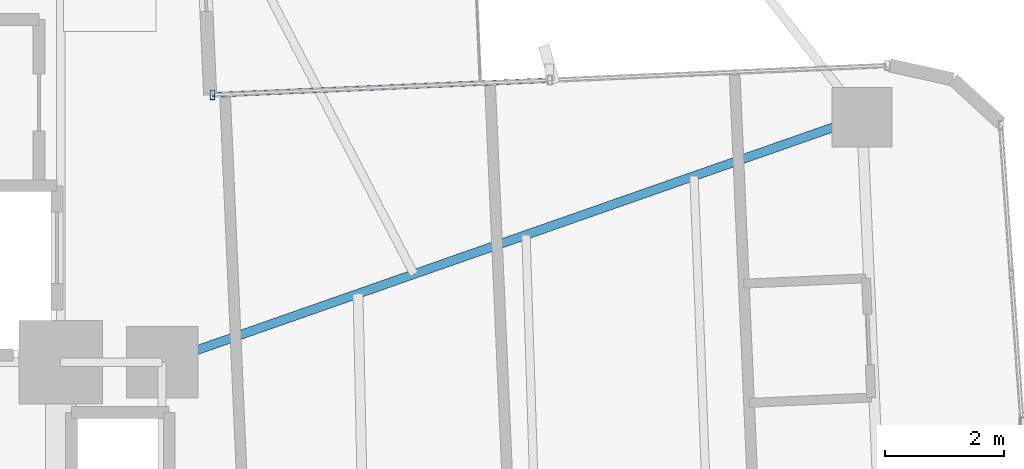
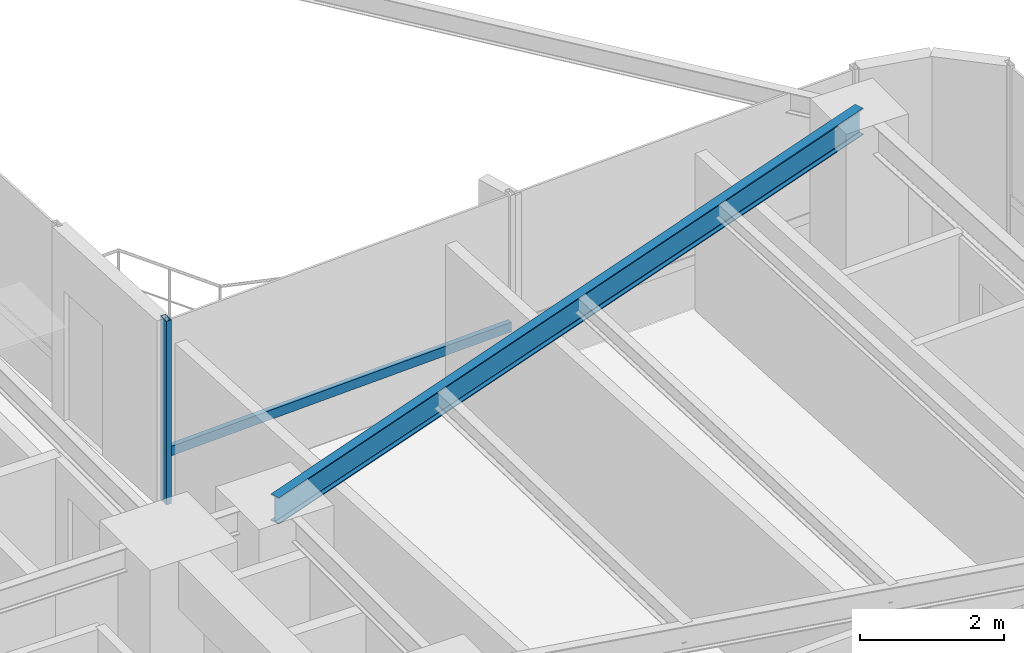
# One storey, part 13 of 26: 2 members, 1 beam, 1 element without a shape of its own.
"""IFC4 building model written with IfcOpenShell, lengths in metres."""

from ifc_helpers import new_model, si_unit, direction, frame, origin, origin_2d, place, context, subcontext, project, spatial, hollow_rectangle, i_section, extrude, source, transform, mapped, material, material_profile, profile_set, type_object, element, aggregate, save


model = new_model("IFC4")

# Units and contexts
model_context = context("Model", 3, precision=1e-05, world=origin(), true_north=direction((0.0, 1.0)))
body_context = subcontext(model_context, "Body", "Model", "MODEL_VIEW")
ifc_project = project(units=[si_unit("LENGTHUNIT", "METRE"), si_unit("AREAUNIT", "SQUARE_METRE"), si_unit("VOLUMEUNIT", "CUBIC_METRE"), si_unit("PLANEANGLEUNIT", "RADIAN"), si_unit("MASSUNIT", "GRAM", prefix="KILO")], contexts=[model_context])

# Site, building, storey
site_placement = place(None, origin())
site = spatial("IfcSite", under=ifc_project, at=site_placement, CompositionType="ELEMENT")
building_placement = place(site_placement, origin())
building = spatial("IfcBuilding", under=site, at=building_placement, Name="Sahyath Konkavel Grand Hotel", CompositionType="ELEMENT")
storey_placement = place(building_placement, frame((0.0, 0.0, 100.25)))
storey = spatial("IfcBuildingStorey", under=building, at=storey_placement, Name="L27", CompositionType="ELEMENT", Elevation=100.25)

# Beam
ifc_material_1 = material(Name="Steel E350", Category="steel")
ifc_material_profile_1 = material_profile(ifc_material_1, i_section(OverallWidth=0.14990234375, OverallDepth=0.449951171875, WebThickness=0.009521484375, FlangeThickness=0.017333984375, FilletRadius=0.014892578125, at=origin_2d()), Name="ISMB 450")
ifc_profile_set_1 = profile_set([ifc_material_profile_1], Name="Steel E350")
beam_type = type_object("IfcBeamType", Name="BM-ISMB450", PredefinedType="BEAM", material=ifc_profile_set_1)
shared_shape_1 = source(origin(), body_context, "Body", "SweptSolid", [
    extrude(i_section(OverallWidth=0.14990234375, OverallDepth=0.449951171875, WebThickness=0.009521484375, FlangeThickness=0.017333984375, FilletRadius=0.014892578125, at=origin_2d()), origin(), (0.0, 0.0, 1.0), 12.430908203125),
])
beam_placement = place(storey_placement, frame((5.5, 2.39990234375, 2.885009765625), z_axis=(0.943819157235, 0.330462400941, 0.0), x_axis=(-0.330462400941, 0.943819157235, 0.0)))
element("IfcBeam", 1, at=beam_placement, inside=storey, type_object=beam_type, Name="L27 Cruciform Radial Girder EB", PredefinedType="BEAM", context=body_context, shape_type="MappedRepresentation", body=[
    mapped(shared_shape_1, transform((0.0, 0.0, 0.0), scale=1.0)),
])

# Curtain wall, members
ifc_material_2 = material(Name="Anodised Bronze Aluminium & Low-E Glazing", Category="aluminium")
curtain_wall_type = type_object("IfcCurtainWallType", Name="CW-ZONE2", PredefinedType="NOTDEFINED", material=ifc_material_2)
curtain_wall_placement = place(storey_placement, origin())
curtain_wall = element("IfcCurtainWall", 2, at=curtain_wall_placement, inside=storey, type_object=curtain_wall_type, Name="L27 Unitised Curtain Wall F7", PredefinedType="NOTDEFINED")
ifc_material_3 = material(Name="Anodised Bronze Aluminium", Category="aluminium")
ifc_material_profile_2 = material_profile(ifc_material_3, hollow_rectangle(XDim=0.080078125, YDim=0.159912109375, WallThickness=0.006103515625, at=origin_2d()), Name="RHS 160x80x6")
ifc_profile_set_2 = profile_set([ifc_material_profile_2], Name="Anodised Bronze Aluminium")
member_type_1 = type_object("IfcMemberType", Name="CW-MUL-160", PredefinedType="MULLION", material=ifc_profile_set_2)
shared_shape_2 = source(origin(), body_context, "Body", "SweptSolid", [
    extrude(hollow_rectangle(XDim=0.080078125, YDim=0.159912109375, WallThickness=0.006103515625, at=origin_2d()), origin(), (0.0, 0.0, 1.0), 3.110107421875),
])
member_1_placement = place(storey_placement, frame((6.345703125, 6.88330078125, 0.0), z_axis=(0.0, 0.0, 1.0), x_axis=(1.0, 0.0, 0.0)))
member_1 = element("IfcMember", 3, at=member_1_placement, type_object=member_type_1, Name="L27 Curtain Wall Mullion F7-2", PredefinedType="MULLION", context=body_context, shape_type="MappedRepresentation", body=[
    mapped(shared_shape_2, transform((0.0, 0.0, 0.0), scale=1.0)),
])
ifc_material_profile_3 = material_profile(ifc_material_3, hollow_rectangle(XDim=0.080078125, YDim=0.159912109375, WallThickness=0.006103515625, at=origin_2d()), Name="RHS 160x80x6")
ifc_profile_set_3 = profile_set([ifc_material_profile_3], Name="Anodised Bronze Aluminium")
member_type_2 = type_object("IfcMemberType", Name="CW-TRN-160", PredefinedType="USERDEFINED", material=ifc_profile_set_3)
shared_shape_3 = source(origin(), body_context, "Body", "SweptSolid", [
    extrude(hollow_rectangle(XDim=0.080078125, YDim=0.159912109375, WallThickness=0.006103515625, at=origin_2d()), origin(), (0.0, 0.0, 1.0), 5.66015625),
])
member_2_placement = place(storey_placement, frame((12.00048828125, 7.13037109375, 0.85009765625), z_axis=(-0.9990468579, -0.043650609628, 0.0), x_axis=(0.043650609628, -0.9990468579, 0.0)))
member_2 = element("IfcMember", 4, at=member_2_placement, type_object=member_type_2, Name="L27 Curtain Wall Transom F7-1-spandrel", ObjectType="TRANSOM", PredefinedType="USERDEFINED", context=body_context, shape_type="MappedRepresentation", body=[
    mapped(shared_shape_3, transform((0.0, 0.0, 0.0), scale=1.0)),
])
aggregate(curtain_wall, [member_1, member_2])

save(model, "model.ifc")
